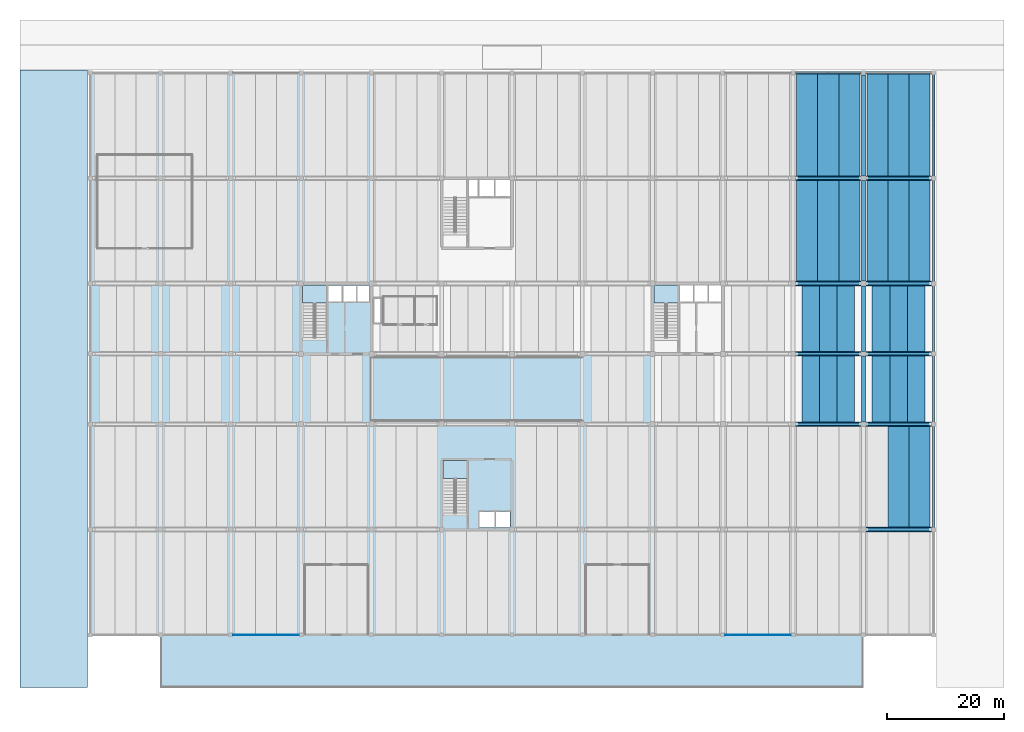
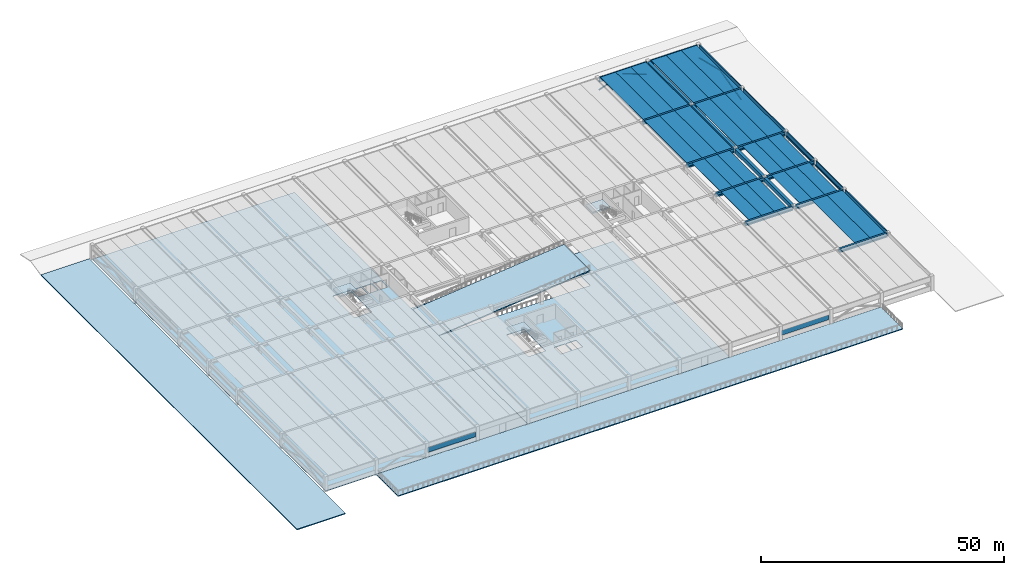
# One storey, part 5 of 16: 46 beams, 8 slabs, 4 members, 2 plates, 3 elements without a shape of their own.
"""IFC4 building model written with IfcOpenShell, lengths in metres."""

from ifc_helpers import new_model, si_unit, direction, frame, origin, origin_2d, place, context, subcontext, project, spatial, polyline, rectangle, hollow_rectangle, outline, extrude, material, layer, layer_set, material_profile, profile_set, type_object, element, aggregate, save


model = new_model("IFC4")

# Units and contexts
model_context = context("Model", 3, precision=1e-05, world=origin(), true_north=direction((0.0, 1.0)))
body_context = subcontext(model_context, "Body", "Model", "MODEL_VIEW")
ifc_project = project(units=[si_unit("LENGTHUNIT", "METRE"), si_unit("AREAUNIT", "SQUARE_METRE"), si_unit("VOLUMEUNIT", "CUBIC_METRE"), si_unit("PLANEANGLEUNIT", "RADIAN"), si_unit("MASSUNIT", "GRAM", prefix="KILO")], contexts=[model_context])

# Site, building, storey
site_placement = place(None, origin())
site = spatial("IfcSite", under=ifc_project, at=site_placement, CompositionType="ELEMENT")
building_placement = place(site_placement, origin())
building = spatial("IfcBuilding", under=site, at=building_placement, Name="Girod Span Mobility Hub", CompositionType="ELEMENT")
storey_placement = place(building_placement, frame((0.0, 0.0, 21.0)))
storey = spatial("IfcBuildingStorey", under=building, at=storey_placement, Name="L05", CompositionType="ELEMENT", Elevation=21.0)

# Beams
ifc_material_1 = material(Name="Concrete C50/60", Category="concrete")
ifc_material_profile_1 = material_profile(ifc_material_1, outline(polyline([(-1.5, 0.300048828125), (-1.5, 0.2099609375), (-0.8349609375, 0.2099609375), (-0.8125, -0.300048828125), (-0.6875, -0.300048828125), (-0.6650390625, 0.2099609375), (0.6650390625, 0.2099609375), (0.6875, -0.300048828125), (0.8125, -0.300048828125), (0.8349609375, 0.2099609375), (1.5, 0.2099609375), (1.5, 0.300048828125), (-1.5, 0.300048828125)])), Name="DT-3000X600")
ifc_profile_set_1 = profile_set([ifc_material_profile_1], Name="Concrete C50/60")
beam_type_1 = type_object("IfcBeamType", Name="BM-DT-3000X600", PredefinedType="JOIST", material=ifc_profile_set_1)
for number, where, z_axis, x_axis, name in (
    (1, (135.0, 45.22705078125, 3.3349609375), (0.0, 1.0, 0.0), (-1.0, 0.0, 0.0), "Double-Tee Deck 12/D-1 L05"),
    (2, (138.0, 45.22705078125, 3.3349609375), (0.0, 1.0, 0.0), (-1.0, 0.0, 0.0), "Double-Tee Deck 12/D-2 L05"),
    (3, (141.0, 45.22705078125, 3.3349609375), (0.0, 1.0, 0.0), (-1.0, 0.0, 0.0), "Double-Tee Deck 12/D-3 L05"),
    (4, (135.0, 57.22705078125, 3.3349609375), (0.0, 1.0, 0.0), (-1.0, 0.0, 0.0), "Double-Tee Deck 12/E-1 L05"),
    (5, (138.0, 57.22705078125, 3.3349609375), (0.0, 1.0, 0.0), (-1.0, 0.0, 0.0), "Double-Tee Deck 12/E-2 L05"),
    (6, (141.0, 57.22705078125, 3.3349609375), (0.0, 1.0, 0.0), (-1.0, 0.0, 0.0), "Double-Tee Deck 12/E-3 L05"),
    (7, (147.0, 45.22705078125, 3.3349609375), (0.0, 1.0, 0.0), (-1.0, 0.0, 0.0), "Double-Tee Deck 13/D-1 L05"),
    (8, (150.0, 45.22705078125, 3.3349609375), (0.0, 1.0, 0.0), (-1.0, 0.0, 0.0), "Double-Tee Deck 13/D-2 L05"),
    (9, (153.0, 45.22705078125, 3.3349609375), (0.0, 1.0, 0.0), (-1.0, 0.0, 0.0), "Double-Tee Deck 13/D-3 L05"),
    (10, (147.0, 57.22705078125, 3.3349609375), (0.0, 1.0, 0.0), (-1.0, 0.0, 0.0), "Double-Tee Deck 13/E-1 L05"),
    (11, (150.0, 57.22705078125, 3.3349609375), (0.0, 1.0, 0.0), (-1.0, 0.0, 0.0), "Double-Tee Deck 13/E-2 L05"),
    (12, (153.0, 57.22705078125, 3.3349609375), (0.0, 1.0, 0.0), (-1.0, 0.0, 0.0), "Double-Tee Deck 13/E-3 L05"),
):
    element("IfcBeam", number, at=place(storey_placement, frame(where, z_axis=z_axis, x_axis=x_axis)), inside=storey, type_object=beam_type_1, Name=name, PredefinedType="JOIST", context=body_context, shape_type="SweptSolid", body=[
        extrude(outline(polyline([(-1.5, 0.300048828125), (-1.5, 0.2099609375), (-0.8349609375, 0.2099609375), (-0.8125, -0.300048828125), (-0.6875, -0.300048828125), (-0.6650390625, 0.2099609375), (0.6650390625, 0.2099609375), (0.6875, -0.300048828125), (0.8125, -0.300048828125), (0.8349609375, 0.2099609375), (1.5, 0.2099609375), (1.5, 0.300048828125), (-1.5, 0.300048828125)])), origin(), (0.0, 0.0, 1.0), 11.5458984375),
    ])
ifc_material_2 = material(Name="Concrete C50/60", Category="concrete")
ifc_material_profile_2 = material_profile(ifc_material_2, outline(polyline([(-1.800048828125, 0.425048828125), (-1.800048828125, 0.324951171875), (-1.0, 0.324951171875), (-0.969970703125, -0.425048828125), (-0.830078125, -0.425048828125), (-0.800048828125, 0.324951171875), (0.800048828125, 0.324951171875), (0.830078125, -0.425048828125), (0.969970703125, -0.425048828125), (1.0, 0.324951171875), (1.800048828125, 0.324951171875), (1.800048828125, 0.425048828125), (-1.800048828125, 0.425048828125)])), Name="DT-3600X850")
ifc_profile_set_2 = profile_set([ifc_material_profile_2], Name="Concrete C50/60")
beam_type_2 = type_object("IfcBeamType", Name="BM-DT-3600X850", PredefinedType="JOIST", material=ifc_profile_set_2)
for number, where, z_axis, x_axis, name in (
    (13, (134.39990234375, 69.22705078125, 3.2099609375), (0.0, 1.0, 0.0), (-1.0, 0.0, 0.0), "Double-Tee Deck 12/F-1 L05"),
    (14, (138.0, 69.22705078125, 3.2099609375), (0.0, 1.0, 0.0), (-1.0, 0.0, 0.0), "Double-Tee Deck 12/F-2 L05"),
    (15, (141.60009765625, 69.22705078125, 3.2099609375), (0.0, 1.0, 0.0), (-1.0, 0.0, 0.0), "Double-Tee Deck 12/F-3 L05"),
):
    element("IfcBeam", number, at=place(storey_placement, frame(where, z_axis=z_axis, x_axis=x_axis)), inside=storey, type_object=beam_type_2, Name=name, PredefinedType="JOIST", context=body_context, shape_type="SweptSolid", body=[
        extrude(outline(polyline([(-1.800048828125, 0.425048828125), (-1.800048828125, 0.324951171875), (-1.0, 0.324951171875), (-0.969970703125, -0.425048828125), (-0.830078125, -0.425048828125), (-0.800048828125, 0.324951171875), (0.800048828125, 0.324951171875), (0.830078125, -0.425048828125), (0.969970703125, -0.425048828125), (1.0, 0.324951171875), (1.800048828125, 0.324951171875), (1.800048828125, 0.425048828125), (-1.800048828125, 0.425048828125)])), origin(), (0.0, 0.0, 1.0), 17.5458984375),
    ])
for number, where, z_axis, x_axis, name in (
    (16, (134.39990234375, 87.22705078125, 3.2099609375), (0.0, 1.0, 0.0), (-1.0, 0.0, 0.0), "Double-Tee Deck 12/G-1 L05"),
    (17, (138.0, 87.22705078125, 3.2099609375), (0.0, 1.0, 0.0), (-1.0, 0.0, 0.0), "Double-Tee Deck 12/G-2 L05"),
    (18, (141.60009765625, 87.22705078125, 3.2099609375), (0.0, 1.0, 0.0), (-1.0, 0.0, 0.0), "Double-Tee Deck 12/G-3 L05"),
):
    element("IfcBeam", number, at=place(storey_placement, frame(where, z_axis=z_axis, x_axis=x_axis)), inside=storey, type_object=beam_type_2, Name=name, PredefinedType="JOIST", context=body_context, shape_type="SweptSolid", body=[
        extrude(outline(polyline([(-1.800048828125, 0.425048828125), (-1.800048828125, 0.324951171875), (-1.0, 0.324951171875), (-0.969970703125, -0.425048828125), (-0.830078125, -0.425048828125), (-0.800048828125, 0.324951171875), (0.800048828125, 0.324951171875), (0.830078125, -0.425048828125), (0.969970703125, -0.425048828125), (1.0, 0.324951171875), (1.800048828125, 0.324951171875), (1.800048828125, 0.425048828125), (-1.800048828125, 0.425048828125)])), origin(), (0.0, 0.0, 1.0), 17.575927734375),
    ])
for number, where, z_axis, x_axis, name in (
    (19, (150.0, 27.22705078125, 3.2099609375), (0.0, 1.0, 0.0), (-1.0, 0.0, 0.0), "Double-Tee Deck 13/C-2 L05"),
    (20, (153.60009765625, 27.22705078125, 3.2099609375), (0.0, 1.0, 0.0), (-1.0, 0.0, 0.0), "Double-Tee Deck 13/C-3 L05"),
    (21, (146.39990234375, 69.22705078125, 3.2099609375), (0.0, 1.0, 0.0), (-1.0, 0.0, 0.0), "Double-Tee Deck 13/F-1 L05"),
    (22, (150.0, 69.22705078125, 3.2099609375), (0.0, 1.0, 0.0), (-1.0, 0.0, 0.0), "Double-Tee Deck 13/F-2 L05"),
    (23, (153.60009765625, 69.22705078125, 3.2099609375), (0.0, 1.0, 0.0), (-1.0, 0.0, 0.0), "Double-Tee Deck 13/F-3 L05"),
):
    element("IfcBeam", number, at=place(storey_placement, frame(where, z_axis=z_axis, x_axis=x_axis)), inside=storey, type_object=beam_type_2, Name=name, PredefinedType="JOIST", context=body_context, shape_type="SweptSolid", body=[
        extrude(outline(polyline([(-1.800048828125, 0.425048828125), (-1.800048828125, 0.324951171875), (-1.0, 0.324951171875), (-0.969970703125, -0.425048828125), (-0.830078125, -0.425048828125), (-0.800048828125, 0.324951171875), (0.800048828125, 0.324951171875), (0.830078125, -0.425048828125), (0.969970703125, -0.425048828125), (1.0, 0.324951171875), (1.800048828125, 0.324951171875), (1.800048828125, 0.425048828125), (-1.800048828125, 0.425048828125)])), origin(), (0.0, 0.0, 1.0), 17.5458984375),
    ])
for number, where, z_axis, x_axis, name in (
    (24, (146.39990234375, 87.22705078125, 3.2099609375), (0.0, 1.0, 0.0), (-1.0, 0.0, 0.0), "Double-Tee Deck 13/G-1 L05"),
    (25, (150.0, 87.22705078125, 3.2099609375), (0.0, 1.0, 0.0), (-1.0, 0.0, 0.0), "Double-Tee Deck 13/G-2 L05"),
    (26, (153.60009765625, 87.22705078125, 3.2099609375), (0.0, 1.0, 0.0), (-1.0, 0.0, 0.0), "Double-Tee Deck 13/G-3 L05"),
):
    element("IfcBeam", number, at=place(storey_placement, frame(where, z_axis=z_axis, x_axis=x_axis)), inside=storey, type_object=beam_type_2, Name=name, PredefinedType="JOIST", context=body_context, shape_type="SweptSolid", body=[
        extrude(outline(polyline([(-1.800048828125, 0.425048828125), (-1.800048828125, 0.324951171875), (-1.0, 0.324951171875), (-0.969970703125, -0.425048828125), (-0.830078125, -0.425048828125), (-0.800048828125, 0.324951171875), (0.800048828125, 0.324951171875), (0.830078125, -0.425048828125), (0.969970703125, -0.425048828125), (1.0, 0.324951171875), (1.800048828125, 0.324951171875), (1.800048828125, 0.425048828125), (-1.800048828125, 0.425048828125)])), origin(), (0.0, 0.0, 1.0), 17.575927734375),
    ])
ifc_material_3 = material(Name="Concrete C50/60", Category="concrete")
ifc_material_profile_3 = material_profile(ifc_material_3, outline(polyline([(-0.39990234375, -0.449951171875), (0.39990234375, -0.449951171875), (0.39990234375, -0.14990234375), (0.22998046875, -0.14990234375), (0.22998046875, 0.449951171875), (-0.22998046875, 0.449951171875), (-0.22998046875, -0.14990234375), (-0.39990234375, -0.14990234375), (-0.39990234375, -0.449951171875)])), Name="IT-800X900")
ifc_profile_set_3 = profile_set([ifc_material_profile_3], Name="Concrete C50/60")
beam_type_3 = type_object("IfcBeamType", Name="BM-IT-800X900", PredefinedType="T_BEAM", material=ifc_profile_set_3)
beam_1_placement = place(storey_placement, frame((144.39697265625, 27.0, 3.18505859375), z_axis=(1.0, 0.0, 0.0), x_axis=(0.0, 1.0, 0.0)))
element("IfcBeam", 27, at=beam_1_placement, inside=storey, type_object=beam_type_3, Name="Girder 13-14/C L05", PredefinedType="T_BEAM", context=body_context, shape_type="SweptSolid", body=[
    extrude(outline(polyline([(-0.39990234375, -0.449951171875), (0.39990234375, -0.449951171875), (0.39990234375, -0.14990234375), (0.22998046875, -0.14990234375), (0.22998046875, 0.449951171875), (-0.22998046875, 0.449951171875), (-0.22998046875, -0.14990234375), (-0.39990234375, -0.14990234375), (-0.39990234375, -0.449951171875)])), origin(), (0.0, 0.0, 1.0), 11.23095703125),
])
beam_2_placement = place(storey_placement, frame((132.39697265625, 45.0, 3.18505859375), z_axis=(1.0, 0.0, 0.0), x_axis=(0.0, 1.0, 0.0)))
element("IfcBeam", 28, at=beam_2_placement, inside=storey, type_object=beam_type_3, Name="Girder 12-13/D L05", PredefinedType="T_BEAM", context=body_context, shape_type="SweptSolid", body=[
    extrude(outline(polyline([(-0.39990234375, -0.449951171875), (0.39990234375, -0.449951171875), (0.39990234375, -0.14990234375), (0.22998046875, -0.14990234375), (0.22998046875, 0.449951171875), (-0.22998046875, 0.449951171875), (-0.22998046875, -0.14990234375), (-0.39990234375, -0.14990234375), (-0.39990234375, -0.449951171875)])), origin(), (0.0, 0.0, 1.0), 11.2060546875),
])
beam_3_placement = place(storey_placement, frame((144.39697265625, 45.0, 3.18505859375), z_axis=(1.0, 0.0, 0.0), x_axis=(0.0, 1.0, 0.0)))
element("IfcBeam", 29, at=beam_3_placement, inside=storey, type_object=beam_type_3, Name="Girder 13-14/D L05", PredefinedType="T_BEAM", context=body_context, shape_type="SweptSolid", body=[
    extrude(outline(polyline([(-0.39990234375, -0.449951171875), (0.39990234375, -0.449951171875), (0.39990234375, -0.14990234375), (0.22998046875, -0.14990234375), (0.22998046875, 0.449951171875), (-0.22998046875, 0.449951171875), (-0.22998046875, -0.14990234375), (-0.39990234375, -0.14990234375), (-0.39990234375, -0.449951171875)])), origin(), (0.0, 0.0, 1.0), 11.23095703125),
])
beam_4_placement = place(storey_placement, frame((132.39697265625, 57.0, 3.18505859375), z_axis=(1.0, 0.0, 0.0), x_axis=(0.0, 1.0, 0.0)))
element("IfcBeam", 30, at=beam_4_placement, inside=storey, type_object=beam_type_3, Name="Girder 12-13/E L05", PredefinedType="T_BEAM", context=body_context, shape_type="SweptSolid", body=[
    extrude(outline(polyline([(-0.39990234375, -0.449951171875), (0.39990234375, -0.449951171875), (0.39990234375, -0.14990234375), (0.22998046875, -0.14990234375), (0.22998046875, 0.449951171875), (-0.22998046875, 0.449951171875), (-0.22998046875, -0.14990234375), (-0.39990234375, -0.14990234375), (-0.39990234375, -0.449951171875)])), origin(), (0.0, 0.0, 1.0), 11.2060546875),
])
beam_5_placement = place(storey_placement, frame((144.39697265625, 57.0, 3.18505859375), z_axis=(1.0, 0.0, 0.0), x_axis=(0.0, 1.0, 0.0)))
element("IfcBeam", 31, at=beam_5_placement, inside=storey, type_object=beam_type_3, Name="Girder 13-14/E L05", PredefinedType="T_BEAM", context=body_context, shape_type="SweptSolid", body=[
    extrude(outline(polyline([(-0.39990234375, -0.449951171875), (0.39990234375, -0.449951171875), (0.39990234375, -0.14990234375), (0.22998046875, -0.14990234375), (0.22998046875, 0.449951171875), (-0.22998046875, 0.449951171875), (-0.22998046875, -0.14990234375), (-0.39990234375, -0.14990234375), (-0.39990234375, -0.449951171875)])), origin(), (0.0, 0.0, 1.0), 11.23095703125),
])
beam_6_placement = place(storey_placement, frame((132.39697265625, 69.0, 3.18505859375), z_axis=(1.0, 0.0, 0.0), x_axis=(0.0, 1.0, 0.0)))
element("IfcBeam", 32, at=beam_6_placement, inside=storey, type_object=beam_type_3, Name="Girder 12-13/F L05", PredefinedType="T_BEAM", context=body_context, shape_type="SweptSolid", body=[
    extrude(outline(polyline([(-0.39990234375, -0.449951171875), (0.39990234375, -0.449951171875), (0.39990234375, -0.14990234375), (0.22998046875, -0.14990234375), (0.22998046875, 0.449951171875), (-0.22998046875, 0.449951171875), (-0.22998046875, -0.14990234375), (-0.39990234375, -0.14990234375), (-0.39990234375, -0.449951171875)])), origin(), (0.0, 0.0, 1.0), 11.2060546875),
])
beam_7_placement = place(storey_placement, frame((144.39697265625, 69.0, 3.18505859375), z_axis=(1.0, 0.0, 0.0), x_axis=(0.0, 1.0, 0.0)))
element("IfcBeam", 33, at=beam_7_placement, inside=storey, type_object=beam_type_3, Name="Girder 13-14/F L05", PredefinedType="T_BEAM", context=body_context, shape_type="SweptSolid", body=[
    extrude(outline(polyline([(-0.39990234375, -0.449951171875), (0.39990234375, -0.449951171875), (0.39990234375, -0.14990234375), (0.22998046875, -0.14990234375), (0.22998046875, 0.449951171875), (-0.22998046875, 0.449951171875), (-0.22998046875, -0.14990234375), (-0.39990234375, -0.14990234375), (-0.39990234375, -0.449951171875)])), origin(), (0.0, 0.0, 1.0), 11.23095703125),
])
beam_8_placement = place(storey_placement, frame((132.39697265625, 87.0, 3.18505859375), z_axis=(1.0, 0.0, 0.0), x_axis=(0.0, 1.0, 0.0)))
element("IfcBeam", 34, at=beam_8_placement, inside=storey, type_object=beam_type_3, Name="Girder 12-13/G L05", PredefinedType="T_BEAM", context=body_context, shape_type="SweptSolid", body=[
    extrude(outline(polyline([(-0.39990234375, -0.449951171875), (0.39990234375, -0.449951171875), (0.39990234375, -0.14990234375), (0.22998046875, -0.14990234375), (0.22998046875, 0.449951171875), (-0.22998046875, 0.449951171875), (-0.22998046875, -0.14990234375), (-0.39990234375, -0.14990234375), (-0.39990234375, -0.449951171875)])), origin(), (0.0, 0.0, 1.0), 11.2060546875),
])
beam_9_placement = place(storey_placement, frame((144.39697265625, 87.0, 3.18505859375), z_axis=(1.0, 0.0, 0.0), x_axis=(0.0, 1.0, 0.0)))
element("IfcBeam", 35, at=beam_9_placement, inside=storey, type_object=beam_type_3, Name="Girder 13-14/G L05", PredefinedType="T_BEAM", context=body_context, shape_type="SweptSolid", body=[
    extrude(outline(polyline([(-0.39990234375, -0.449951171875), (0.39990234375, -0.449951171875), (0.39990234375, -0.14990234375), (0.22998046875, -0.14990234375), (0.22998046875, 0.449951171875), (-0.22998046875, 0.449951171875), (-0.22998046875, -0.14990234375), (-0.39990234375, -0.14990234375), (-0.39990234375, -0.449951171875)])), origin(), (0.0, 0.0, 1.0), 11.23095703125),
])
ifc_material_4 = material(Name="Concrete C40/50", Category="concrete")
ifc_material_profile_4 = material_profile(ifc_material_4, outline(polyline([(-0.199951171875, -0.625), (0.199951171875, -0.625), (0.199951171875, -0.304931640625), (0.02001953125, -0.304931640625), (0.02001953125, 0.625), (-0.199951171875, 0.625), (-0.199951171875, -0.625)])), Name="SP-400X1250")
ifc_profile_set_4 = profile_set([ifc_material_profile_4], Name="Concrete C40/50")
beam_type_4 = type_object("IfcBeamType", Name="BM-SP-400X1250", PredefinedType="SPANDREL", material=ifc_profile_set_4)
for number, where, z_axis, x_axis, name in (
    (36, (132.3720703125, 105.0, 3.010009765625), (1.0, 0.0, 0.0), (0.0, 1.0, 0.0), "Girder 12-13/H L05"),
    (37, (144.3720703125, 105.0, 3.010009765625), (1.0, 0.0, 0.0), (0.0, 1.0, 0.0), "Girder 13-14/H L05"),
):
    element("IfcBeam", number, at=place(storey_placement, frame(where, z_axis=z_axis, x_axis=x_axis)), inside=storey, type_object=beam_type_4, Name=name, PredefinedType="SPANDREL", context=body_context, shape_type="SweptSolid", body=[
        extrude(outline(polyline([(-0.199951171875, -0.625), (0.199951171875, -0.625), (0.199951171875, -0.304931640625), (0.02001953125, -0.304931640625), (0.02001953125, 0.625), (-0.199951171875, 0.625), (-0.199951171875, -0.625)])), origin(), (0.0, 0.0, 1.0), 11.255859375),
    ])
beam_10_placement = place(storey_placement, frame((156.0, 27.3720703125, 3.010009765625), z_axis=(0.0, 1.0, 0.0), x_axis=(-1.0, 0.0, 0.0)))
element("IfcBeam", 38, at=beam_10_placement, inside=storey, type_object=beam_type_4, Name="Tie Girder 14/C-D L05", PredefinedType="SPANDREL", context=body_context, shape_type="SweptSolid", body=[
    extrude(outline(polyline([(-0.199951171875, -0.625), (0.199951171875, -0.625), (0.199951171875, -0.304931640625), (0.02001953125, -0.304931640625), (0.02001953125, 0.625), (-0.199951171875, 0.625), (-0.199951171875, -0.625)])), origin(), (0.0, 0.0, 1.0), 17.255859375),
])
for number, where, z_axis, x_axis, name in (
    (39, (156.0, 45.3720703125, 3.010009765625), (0.0, 1.0, 0.0), (-1.0, 0.0, 0.0), "Tie Girder 14/D-E L05"),
    (40, (156.0, 57.3720703125, 3.010009765625), (0.0, 1.0, 0.0), (-1.0, 0.0, 0.0), "Tie Girder 14/E-F L05"),
):
    element("IfcBeam", number, at=place(storey_placement, frame(where, z_axis=z_axis, x_axis=x_axis)), inside=storey, type_object=beam_type_4, Name=name, PredefinedType="SPANDREL", context=body_context, shape_type="SweptSolid", body=[
        extrude(outline(polyline([(-0.199951171875, -0.625), (0.199951171875, -0.625), (0.199951171875, -0.304931640625), (0.02001953125, -0.304931640625), (0.02001953125, 0.625), (-0.199951171875, 0.625), (-0.199951171875, -0.625)])), origin(), (0.0, 0.0, 1.0), 11.255859375),
    ])
for number, where, z_axis, x_axis, name in (
    (41, (156.0, 69.3720703125, 3.010009765625), (0.0, 1.0, 0.0), (-1.0, 0.0, 0.0), "Tie Girder 14/F-G L05"),
    (42, (156.0, 87.3720703125, 3.010009765625), (0.0, 1.0, 0.0), (-1.0, 0.0, 0.0), "Tie Girder 14/G-H L05"),
):
    element("IfcBeam", number, at=place(storey_placement, frame(where, z_axis=z_axis, x_axis=x_axis)), inside=storey, type_object=beam_type_4, Name=name, PredefinedType="SPANDREL", context=body_context, shape_type="SweptSolid", body=[
        extrude(outline(polyline([(-0.199951171875, -0.625), (0.199951171875, -0.625), (0.199951171875, -0.304931640625), (0.02001953125, -0.304931640625), (0.02001953125, 0.625), (-0.199951171875, 0.625), (-0.199951171875, -0.625)])), origin(), (0.0, 0.0, 1.0), 17.255859375),
    ])
ifc_material_5 = material(Name="Concrete C40/50", Category="concrete")
ifc_material_profile_5 = material_profile(ifc_material_5, rectangle(XDim=0.64990234375, YDim=1.0, at=origin_2d()), Name="TG-650X1000")
ifc_profile_set_5 = profile_set([ifc_material_profile_5], Name="Concrete C40/50")
beam_type_5 = type_object("IfcBeamType", Name="BM-TG-650X1000", PredefinedType="T_BEAM", material=ifc_profile_set_5)
for number, where, z_axis, x_axis, name in (
    (43, (144.0, 45.39697265625, 3.135009765625), (0.0, 1.0, 0.0), (-1.0, 0.0, 0.0), "Tie Girder 13/D-E L05"),
    (44, (144.0, 57.39697265625, 3.135009765625), (0.0, 1.0, 0.0), (-1.0, 0.0, 0.0), "Tie Girder 13/E-F L05"),
):
    element("IfcBeam", number, at=place(storey_placement, frame(where, z_axis=z_axis, x_axis=x_axis)), inside=storey, type_object=beam_type_5, Name=name, PredefinedType="T_BEAM", context=body_context, shape_type="SweptSolid", body=[
        extrude(rectangle(XDim=0.64990234375, YDim=1.0, at=origin_2d()), origin(), (0.0, 0.0, 1.0), 11.2060546875),
    ])
beam_11_placement = place(storey_placement, frame((144.0, 69.39697265625, 3.135009765625), z_axis=(0.0, 1.0, 0.0), x_axis=(-1.0, 0.0, 0.0)))
element("IfcBeam", 45, at=beam_11_placement, inside=storey, type_object=beam_type_5, Name="Tie Girder 13/F-G L05", PredefinedType="T_BEAM", context=body_context, shape_type="SweptSolid", body=[
    extrude(rectangle(XDim=0.64990234375, YDim=1.0, at=origin_2d()), origin(), (0.0, 0.0, 1.0), 17.2060546875),
])
beam_12_placement = place(storey_placement, frame((144.0, 87.39697265625, 3.135009765625), z_axis=(0.0, 1.0, 0.0), x_axis=(-1.0, 0.0, 0.0)))
element("IfcBeam", 46, at=beam_12_placement, inside=storey, type_object=beam_type_5, Name="Tie Girder 13/G-H L05", PredefinedType="T_BEAM", context=body_context, shape_type="SweptSolid", body=[
    extrude(rectangle(XDim=0.64990234375, YDim=1.0, at=origin_2d()), origin(), (0.0, 0.0, 1.0), 17.23095703125),
])

# Members
ifc_material_6 = material(Name="Steel HSS A500 Grade C", Category="steel")
ifc_material_profile_6 = material_profile(ifc_material_6, hollow_rectangle(XDim=0.25390625, YDim=0.25390625, WallThickness=0.01171875, InnerFilletRadius=0.01171875, OuterFilletRadius=0.023681640625, at=origin_2d()), Name="HSS254X254X12.7")
ifc_profile_set_6 = profile_set([ifc_material_profile_6], Name="Steel HSS A500 Grade C")
member_type = type_object("IfcMemberType", Name="MB-BR-HSS254", PredefinedType="BRACE", material=ifc_profile_set_6)
for number, where, z_axis, x_axis, name in (
    (47, (132.35498046875, 105.0, 0.35009765625), (0.936432327959, 0.0, 0.350848250891), (0.0, 1.0, 0.0), "Perimeter Chevron Brace 12/H-L L05"),
    (48, (143.64501953125, 105.0, 0.35009765625), (-0.936432327959, 0.0, 0.350848250891), (0.0, -1.0, 0.0), "Perimeter Chevron Brace 12/H-R L05"),
):
    element("IfcMember", number, at=place(storey_placement, frame(where, z_axis=z_axis, x_axis=x_axis)), inside=storey, type_object=member_type, Name=name, PredefinedType="BRACE", context=body_context, shape_type="SweptSolid", body=[
        extrude(hollow_rectangle(XDim=0.25390625, YDim=0.25390625, WallThickness=0.01171875, InnerFilletRadius=0.01171875, OuterFilletRadius=0.023681640625, at=origin_2d()), origin(), (0.0, 0.0, 1.0), 6.0283203125),
    ])
for number, where, z_axis, x_axis, name in (
    (49, (156.0, 87.35498046875, 0.35009765625), (0.0, 0.971353290463, 0.237640032626), (-1.0, 0.0, 0.0), "Side Chevron Brace 14/G-S L05"),
    (50, (156.0, 104.64501953125, 0.35009765625), (0.0, -0.971353290463, 0.237640032626), (1.0, 0.0, 0.0), "Side Chevron Brace 14/G-N L05"),
):
    element("IfcMember", number, at=place(storey_placement, frame(where, z_axis=z_axis, x_axis=x_axis)), inside=storey, type_object=member_type, Name=name, PredefinedType="BRACE", context=body_context, shape_type="SweptSolid", body=[
        extrude(hollow_rectangle(XDim=0.25390625, YDim=0.25390625, WallThickness=0.01171875, InnerFilletRadius=0.01171875, OuterFilletRadius=0.023681640625, at=origin_2d()), origin(), (0.0, 0.0, 1.0), 8.89990234375),
    ])

# Plates
ifc_material_7 = material(Name="Perforated Powder-Coated Aluminium Sheet", Category="aluminium")
ifc_layer_1 = layer(ifc_material_7, 0.035888671875)
ifc_layer_set_1 = layer_set([ifc_layer_1], Name="Perforated Powder-Coated Aluminium Sheet")
plate_type = type_object("IfcPlateType", Name="PLT-CLD-11254X1235X36", PredefinedType="USERDEFINED", material=ifc_layer_set_1)
for number, where, z_axis, x_axis, name in (
    (51, (42.0, 9.0, 1.14990234375), (0.0, 0.0, 1.0), (1.0, 0.0, 0.0), "Perforated Aluminium Cladding Panel S-4 L05"),
    (52, (126.0, 9.0, 1.14990234375), (0.0, 0.0, 1.0), (1.0, 0.0, 0.0), "Perforated Aluminium Cladding Panel S-11 L05"),
):
    element("IfcPlate", number, at=place(storey_placement, frame(where, z_axis=z_axis, x_axis=x_axis)), inside=storey, type_object=plate_type, Name=name, ObjectType="CLADDING", PredefinedType="USERDEFINED", context=body_context, shape_type="SweptSolid", body=[
        extrude(rectangle(XDim=11.25390625, YDim=0.035888671875, at=origin_2d()), origin(), (0.0, 0.0, 1.0), 1.235107421875),
    ])

# Slabs
ifc_material_8 = material(Name="Concrete C40/50", Category="concrete")
ifc_layer_2 = layer(ifc_material_8, 0.219970703125)
ifc_layer_set_2 = layer_set([ifc_layer_2], Name="Concrete C40/50")
slab_type_1 = type_object("IfcSlabType", Name="SL-EXT-220", PredefinedType="FLOOR", material=ifc_layer_set_2)
slab_1_placement = place(storey_placement, frame((0.0, 0.0, -0.219970703125)))
element("IfcSlab", 53, at=slab_1_placement, inside=storey, type_object=slab_type_1, Name="South Boulevard Podium Terrace", PredefinedType="FLOOR", context=body_context, shape_type="SweptSolid", body=[
    extrude(outline(polyline([(144.0, 0.0), (144.0, 9.0), (24.0, 9.0), (24.0, 0.0), (144.0, 0.0)])), origin(), (0.0, 0.0, 1.0), 0.219970703125),
])
ifc_material_9 = material(Name="Concrete C40/50", Category="concrete")
ifc_layer_3 = layer(ifc_material_9, 0.159912109375)
ifc_layer_set_3 = layer_set([ifc_layer_3], Name="Concrete C40/50")
slab_type_2 = type_object("IfcSlabType", Name="SL-FLR-160", PredefinedType="FLOOR", material=ifc_layer_set_3)
slab_2_placement = place(storey_placement, frame((0.0, 0.0, -0.159912109375)))
element("IfcSlab", 54, at=slab_2_placement, inside=storey, type_object=slab_type_2, Name="Floor Slab L05 Sector W", PredefinedType="FLOOR", context=body_context, shape_type="SweptSolid", body=[
    extrude(outline(polyline([(12.0, 105.0), (60.0, 105.0), (60.0, 56.39990234375), (60.0, 45.60009765625), (60.0, 9.0), (12.0, 9.0), (12.0, 105.0)]), holes=[polyline([(48.219970703125, 68.820068359375), (48.219970703125, 59.8349609375), (52.340087890625, 59.8349609375), (52.340087890625, 68.820068359375), (48.219970703125, 68.820068359375)]), polyline([(52.64990234375, 68.64990234375), (52.64990234375, 65.949951171875), (54.949951171875, 65.949951171875), (54.949951171875, 68.64990234375), (52.64990234375, 68.64990234375)]), polyline([(55.199951171875, 68.64990234375), (55.199951171875, 65.949951171875), (57.35009765625, 65.949951171875), (57.35009765625, 68.64990234375), (55.199951171875, 68.64990234375)]), polyline([(57.60009765625, 68.64990234375), (57.60009765625, 65.949951171875), (59.64990234375, 65.949951171875), (59.64990234375, 68.64990234375), (57.60009765625, 68.64990234375)])]), origin(), (0.0, 0.0, 1.0), 0.159912109375),
])
slab_3_placement = place(storey_placement, frame((0.0, 0.0, -0.159912109375)))
element("IfcSlab", 55, at=slab_3_placement, inside=storey, type_object=slab_type_2, Name="Floor Slab L05 Sector CS", PredefinedType="FLOOR", context=body_context, shape_type="SweptSolid", body=[
    extrude(outline(polyline([(60.0, 9.0), (60.0, 45.60009765625), (96.0, 45.60009765625), (96.0, 56.39990234375), (60.0, 56.39990234375), (60.0, 57.0), (108.0, 57.0), (108.0, 9.0), (60.0, 9.0)]), holes=[polyline([(72.219970703125, 38.820068359375), (72.219970703125, 29.8349609375), (76.340087890625, 29.8349609375), (76.340087890625, 38.820068359375), (72.219970703125, 38.820068359375)]), polyline([(78.449951171875, 30.050048828125), (78.449951171875, 27.35009765625), (81.0, 27.35009765625), (81.0, 30.050048828125), (78.449951171875, 30.050048828125)]), polyline([(81.25, 30.050048828125), (81.25, 27.35009765625), (83.64990234375, 27.35009765625), (83.64990234375, 30.050048828125), (81.25, 30.050048828125)])]), origin(), (0.0, 0.0, 1.0), 0.159912109375),
])

# Stair, slab
ifc_material_10 = material(Name="Concrete C40/50", Category="concrete")
stair_type = type_object("IfcStairType", Name="STR-3800-W1860", PredefinedType="HALF_TURN_STAIR", material=ifc_material_10)
stair_1_placement = place(storey_placement, origin())
stair_1 = element("IfcStair", 56, at=stair_1_placement, inside=storey, type_object=stair_type, Name="Exit Stair ST-1 L05", PredefinedType="HALF_TURN_STAIR")
ifc_material_11 = material(Name="Concrete C40/50", Category="concrete")
ifc_layer_4 = layer(ifc_material_11, 0.3798828125)
ifc_layer_set_4 = layer_set([ifc_layer_4], Name="Concrete C40/50")
slab_type_3 = type_object("IfcSlabType", Name="SL-LND-380", PredefinedType="LANDING", material=ifc_layer_set_4)
slab_4_placement = place(storey_placement, frame((0.0, 0.0, 1.52001953125)))
slab_4 = element("IfcSlab", 57, at=slab_4_placement, type_object=slab_type_3, Name="Stair ST-1 Half-Landing L05", PredefinedType="LANDING", context=body_context, shape_type="SweptSolid", body=[
    extrude(outline(polyline([(52.3349609375, 65.68603515625), (52.3349609375, 68.784912109375), (48.215087890625, 68.784912109375), (48.215087890625, 65.68603515625), (52.3349609375, 65.68603515625)])), origin(), (0.0, 0.0, 1.0), 0.3798828125),
])
aggregate(stair_1, [slab_4])

stair_2_placement = place(storey_placement, origin())
stair_2 = element("IfcStair", 58, at=stair_2_placement, inside=storey, type_object=stair_type, Name="Exit Stair ST-2 L05", PredefinedType="HALF_TURN_STAIR")
slab_5_placement = place(storey_placement, frame((0.0, 0.0, 1.52001953125)))
slab_5 = element("IfcSlab", 59, at=slab_5_placement, type_object=slab_type_3, Name="Stair ST-2 Half-Landing L05", PredefinedType="LANDING", context=body_context, shape_type="SweptSolid", body=[
    extrude(outline(polyline([(112.3349609375, 65.68603515625), (112.3349609375, 68.784912109375), (108.215087890625, 68.784912109375), (108.215087890625, 65.68603515625), (112.3349609375, 65.68603515625)])), origin(), (0.0, 0.0, 1.0), 0.3798828125),
])
aggregate(stair_2, [slab_5])

stair_3_placement = place(storey_placement, origin())
stair_3 = element("IfcStair", 60, at=stair_3_placement, inside=storey, type_object=stair_type, Name="Exit Stair ST-3 L05", PredefinedType="HALF_TURN_STAIR")
slab_6_placement = place(storey_placement, frame((0.0, 0.0, 1.52001953125)))
slab_6 = element("IfcSlab", 61, at=slab_6_placement, type_object=slab_type_3, Name="Stair ST-3 Half-Landing L05", PredefinedType="LANDING", context=body_context, shape_type="SweptSolid", body=[
    extrude(outline(polyline([(76.3349609375, 35.68603515625), (76.3349609375, 38.81005859375), (72.18994140625, 38.81005859375), (72.18994140625, 35.68603515625), (76.3349609375, 35.68603515625)])), origin(), (0.0, 0.0, 1.0), 0.3798828125),
])
aggregate(stair_3, [slab_6])

# Slabs
ifc_material_12 = material(Name="Concrete C40/50", Category="concrete")
ifc_layer_5 = layer(ifc_material_12, 0.280029296875)
ifc_layer_set_5 = layer_set([ifc_layer_5], Name="Concrete C40/50")
slab_type_4 = type_object("IfcSlabType", Name="SL-RAMP-280", PredefinedType="USERDEFINED", material=ifc_layer_set_5)
slab_7_placement = place(storey_placement, frame((60.050048828125, 45.60009765625, 0.0), z_axis=(-0.105205145599, 0.0, 0.994450540419), x_axis=(0.994450540419, 0.0, 0.105205145599)))
element("IfcSlab", 62, at=slab_7_placement, inside=storey, type_object=slab_type_4, Name="Two-Way Express Vehicular Ramp L05 to L06", ObjectType="VEHICULAR RAMP", PredefinedType="USERDEFINED", context=body_context, shape_type="SweptSolid", body=[
    extrude(outline(polyline([(0.0, 0.0), (36.12037041064554, 0.0), (36.12037041064554, 10.7998046875), (0.0, 10.7998046875), (0.0, 0.0)])), origin(), (0.0, 0.0, -1.0), 0.280029296875),
])
ifc_material_13 = material(Name="Concrete C40/50", Category="concrete")
ifc_layer_6 = layer(ifc_material_13, 0.219970703125)
ifc_layer_set_6 = layer_set([ifc_layer_6], Name="Concrete C40/50")
slab_type_5 = type_object("IfcSlabType", Name="SL-ROOF-220", PredefinedType="ROOF", material=ifc_layer_set_6)
slab_8_placement = place(storey_placement, frame((0.0, 0.0, -0.219970703125)))
element("IfcSlab", 63, at=slab_8_placement, inside=storey, type_object=slab_type_5, Name="Insulated Setback Roof Slab above L04 W", PredefinedType="ROOF", context=body_context, shape_type="SweptSolid", body=[
    extrude(outline(polyline([(0.0, 105.449951171875), (11.550048828125, 105.449951171875), (11.550048828125, 8.550048828125), (11.550048828125, 0.0), (0.0, 0.0), (0.0, 105.449951171875)])), origin(), (0.0, 0.0, 1.0), 0.219970703125),
])

save(model, "model.ifc")
